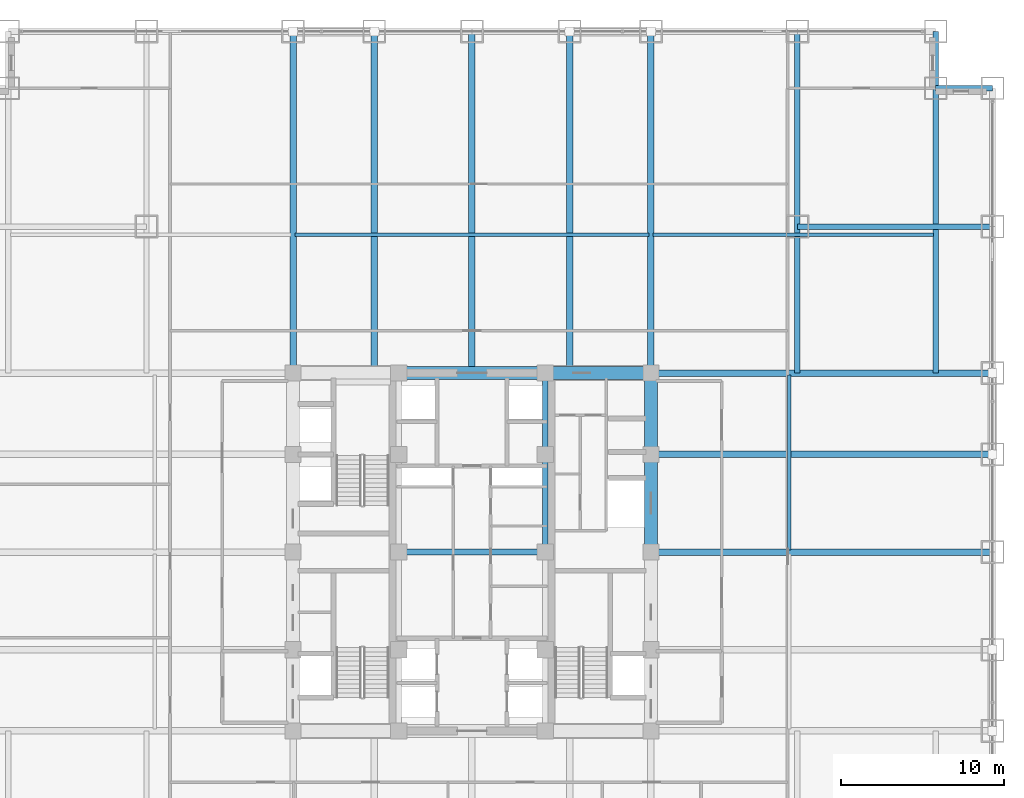
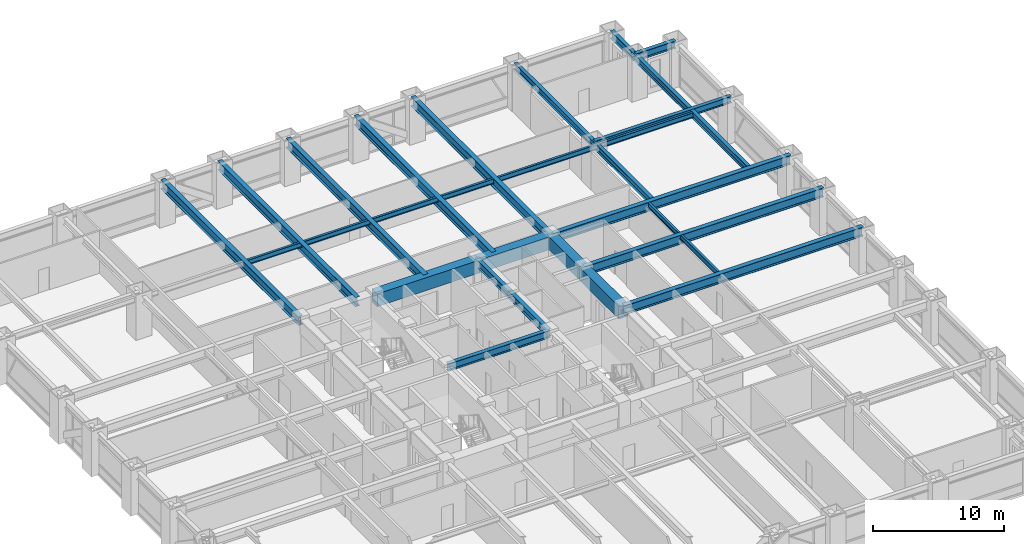
# One storey, part 15 of 27: 23 beams.
"""IFC4 building model written with IfcOpenShell, lengths in metres."""

from ifc_helpers import new_model, si_unit, direction, frame, origin, origin_2d, place, context, subcontext, project, spatial, rectangle, i_section, extrude, source, transform, mapped, material, material_profile, profile_set, type_object, element, save


model = new_model("IFC4")

# Units and contexts
model_context = context("Model", 3, precision=1e-05, world=origin(), true_north=direction((0.0, 1.0)))
body_context = subcontext(model_context, "Body", "Model", "MODEL_VIEW")
ifc_project = project(units=[si_unit("LENGTHUNIT", "METRE"), si_unit("AREAUNIT", "SQUARE_METRE"), si_unit("VOLUMEUNIT", "CUBIC_METRE"), si_unit("PLANEANGLEUNIT", "RADIAN"), si_unit("MASSUNIT", "GRAM", prefix="KILO")], contexts=[model_context])

# Site, building, storey
site_placement = place(None, origin())
site = spatial("IfcSite", under=ifc_project, at=site_placement, CompositionType="ELEMENT")
building_placement = place(site_placement, origin())
building = spatial("IfcBuilding", under=site, at=building_placement, Name="Khorayat Bourse Tower", CompositionType="ELEMENT")
storey_placement = place(building_placement, frame((0.0, 0.0, 49.39990234375)))
storey = spatial("IfcBuildingStorey", under=building, at=storey_placement, Name="L10", CompositionType="ELEMENT", Elevation=49.39990234375)

# Beams
ifc_material_1 = material(Name="Concrete C72/90", Category="concrete")
ifc_material_profile_1 = material_profile(ifc_material_1, rectangle(XDim=0.800048828125, YDim=1.199951171875, at=origin_2d()), Name="RC 800x1200")
ifc_profile_set_1 = profile_set([ifc_material_profile_1], Name="Concrete C72/90")
beam_type_1 = type_object("IfcBeamType", Name="BM-COUP-1200", PredefinedType="BEAM", material=ifc_profile_set_1)
shared_shape_1 = source(origin(), body_context, "Body", "SweptSolid", [
    extrude(rectangle(XDim=0.800048828125, YDim=1.199951171875, at=origin_2d()), origin(), (0.0, 0.0, 1.0), 5.0),
])
beam_1_placement = place(storey_placement, frame((11.0, 6.0, 3.340087890625), z_axis=(0.0, 1.0, 0.0), x_axis=(-1.0, 0.0, 0.0)))
element("IfcBeam", 1, at=beam_1_placement, inside=storey, type_object=beam_type_1, Name="L10 BM-COUP-1200 BM-L10-CRX-16", PredefinedType="BEAM", context=body_context, shape_type="MappedRepresentation", body=[
    mapped(shared_shape_1, transform((0.0, 0.0, 0.0), scale=1.0)),
])
shared_shape_2 = source(origin(), body_context, "Body", "SweptSolid", [
    extrude(rectangle(XDim=0.800048828125, YDim=1.199951171875, at=origin_2d()), origin(), (0.0, 0.0, 1.0), 6.0),
])
beam_2_placement = place(storey_placement, frame((11.0, 0.0, 3.340087890625), z_axis=(0.0, 1.0, 0.0), x_axis=(-1.0, 0.0, 0.0)))
element("IfcBeam", 2, at=beam_2_placement, inside=storey, type_object=beam_type_1, Name="L10 BM-COUP-1200 BM-L10-CRX-15", PredefinedType="BEAM", context=body_context, shape_type="MappedRepresentation", body=[
    mapped(shared_shape_2, transform((0.0, 0.0, 0.0), scale=1.0)),
])
ifc_material_2 = material(Name="Steel ASTM A992 Grade 50", Category="steel")
ifc_material_profile_2 = material_profile(ifc_material_2, i_section(OverallWidth=0.35498046875, OverallDepth=0.695068359375, WebThickness=0.015380859375, FlangeThickness=0.02490234375, FilletRadius=0.01806640625, at=origin_2d()), Name="W690X217")
ifc_profile_set_2 = profile_set([ifc_material_profile_2], Name="Steel ASTM A992 Grade 50")
beam_type_2 = type_object("IfcBeamType", Name="BM-GIRD-690", PredefinedType="BEAM", material=ifc_profile_set_2)
shared_shape_3 = source(origin(), body_context, "Body", "SweptSolid", [
    extrude(i_section(OverallWidth=0.35498046875, OverallDepth=0.695068359375, WebThickness=0.015380859375, FlangeThickness=0.02490234375, FilletRadius=0.01806640625, at=origin_2d()), origin(), (0.0, 0.0, 1.0), 5.0),
])
beam_3_placement = place(storey_placement, frame((4.5, 6.0, 3.592529296875), z_axis=(0.0, 1.0, 0.0), x_axis=(-1.0, 0.0, 0.0)))
element("IfcBeam", 3, at=beam_3_placement, inside=storey, type_object=beam_type_2, Name="L10 BM-GIRD-690 BM-L10-CRX-12", PredefinedType="BEAM", context=body_context, shape_type="MappedRepresentation", body=[
    mapped(shared_shape_3, transform((0.0, 0.0, 0.0), scale=1.0)),
])
shared_shape_4 = source(origin(), body_context, "Body", "SweptSolid", [
    extrude(i_section(OverallWidth=0.35498046875, OverallDepth=0.695068359375, WebThickness=0.015380859375, FlangeThickness=0.02490234375, FilletRadius=0.01806640625, at=origin_2d()), origin(), (0.0, 0.0, 1.0), 6.0),
])
beam_4_placement = place(storey_placement, frame((4.5, 0.0, 3.592529296875), z_axis=(0.0, 1.0, 0.0), x_axis=(-1.0, 0.0, 0.0)))
element("IfcBeam", 4, at=beam_4_placement, inside=storey, type_object=beam_type_2, Name="L10 BM-GIRD-690 BM-L10-CRX-11", PredefinedType="BEAM", context=body_context, shape_type="MappedRepresentation", body=[
    mapped(shared_shape_4, transform((0.0, 0.0, 0.0), scale=1.0)),
])
shared_shape_5 = source(origin(), body_context, "Body", "SweptSolid", [
    extrude(rectangle(XDim=0.800048828125, YDim=1.199951171875, at=origin_2d()), origin(), (0.0, 0.0, 1.0), 6.5),
])
beam_5_placement = place(storey_placement, frame((4.5, 11.0, 3.340087890625), z_axis=(1.0, 0.0, 0.0), x_axis=(0.0, 1.0, 0.0)))
element("IfcBeam", 5, at=beam_5_placement, inside=storey, type_object=beam_type_1, Name="L10 BM-COUP-1200 BM-L10-CRY-22", PredefinedType="BEAM", context=body_context, shape_type="MappedRepresentation", body=[
    mapped(shared_shape_5, transform((0.0, 0.0, 0.0), scale=1.0)),
])
shared_shape_6 = source(origin(), body_context, "Body", "SweptSolid", [
    extrude(rectangle(XDim=0.800048828125, YDim=1.199951171875, at=origin_2d()), origin(), (0.0, 0.0, 1.0), 9.0),
])
beam_6_placement = place(storey_placement, frame((-4.5, 11.0, 3.340087890625), z_axis=(1.0, 0.0, 0.0), x_axis=(0.0, 1.0, 0.0)))
element("IfcBeam", 6, at=beam_6_placement, inside=storey, type_object=beam_type_1, Name="L10 BM-COUP-1200 BM-L10-CRY-21", PredefinedType="BEAM", context=body_context, shape_type="MappedRepresentation", body=[
    mapped(shared_shape_6, transform((0.0, 0.0, 0.0), scale=1.0)),
])
shared_shape_7 = source(origin(), body_context, "Body", "SweptSolid", [
    extrude(i_section(OverallWidth=0.35498046875, OverallDepth=0.695068359375, WebThickness=0.015380859375, FlangeThickness=0.02490234375, FilletRadius=0.01806640625, at=origin_2d()), origin(), (0.0, 0.0, 1.0), 9.0),
])
beam_7_placement = place(storey_placement, frame((-4.5, 0.0, 3.592529296875), z_axis=(1.0, 0.0, 0.0), x_axis=(0.0, 1.0, 0.0)))
element("IfcBeam", 7, at=beam_7_placement, inside=storey, type_object=beam_type_2, Name="L10 BM-GIRD-690 BM-L10-CRY-23", PredefinedType="BEAM", context=body_context, shape_type="MappedRepresentation", body=[
    mapped(shared_shape_7, transform((0.0, 0.0, 0.0), scale=1.0)),
])
ifc_material_profile_3 = material_profile(ifc_material_2, i_section(OverallWidth=0.35498046875, OverallDepth=0.695068359375, WebThickness=0.015380859375, FlangeThickness=0.02490234375, FilletRadius=0.01806640625, at=origin_2d()), Name="W690X217")
ifc_profile_set_3 = profile_set([ifc_material_profile_3], Name="Steel ASTM A992 Grade 50")
beam_type_3 = type_object("IfcBeamType", Name="BM-SPAN-690", PredefinedType="SPANDREL", material=ifc_profile_set_3)
shared_shape_8 = source(origin(), body_context, "Body", "SweptSolid", [
    extrude(i_section(OverallWidth=0.35498046875, OverallDepth=0.695068359375, WebThickness=0.015380859375, FlangeThickness=0.02490234375, FilletRadius=0.01806640625, at=origin_2d()), origin(), (0.0, 0.0, 1.0), 3.5),
])
for number, where, z_axis, x_axis, name in (
    (8, (28.5, 28.5, 3.592529296875), (1.0, 0.0, 0.0), (0.0, 1.0, 0.0), "L10 BM-SPAN-690 BM-L10-SPN-042"),
    (9, (28.5, 28.5, 3.592529296875), (0.0, 1.0, 0.0), (-1.0, 0.0, 0.0), "L10 BM-SPAN-690 BM-L10-SPN-043"),
):
    element("IfcBeam", number, at=place(storey_placement, frame(where, z_axis=z_axis, x_axis=x_axis)), inside=storey, type_object=beam_type_3, Name=name, PredefinedType="SPANDREL", context=body_context, shape_type="MappedRepresentation", body=[
        mapped(shared_shape_8, transform((0.0, 0.0, 0.0), scale=1.0)),
    ])
ifc_material_profile_4 = material_profile(ifc_material_2, i_section(OverallWidth=0.39990234375, OverallDepth=0.85498046875, WebThickness=0.018310546875, FlangeThickness=0.029296875, FilletRadius=0.02001953125, at=origin_2d()), Name="W840X299")
ifc_profile_set_4 = profile_set([ifc_material_profile_4], Name="Steel ASTM A992 Grade 50")
beam_type_4 = type_object("IfcBeamType", Name="BM-GIRD-840", PredefinedType="BEAM", material=ifc_profile_set_4)
shared_shape_9 = source(origin(), body_context, "Body", "SweptSolid", [
    extrude(i_section(OverallWidth=0.39990234375, OverallDepth=0.85498046875, WebThickness=0.018310546875, FlangeThickness=0.029296875, FilletRadius=0.02001953125, at=origin_2d()), origin(), (0.0, 0.0, 1.0), 21.0),
])
for number, where, z_axis, x_axis, name in (
    (10, (-11.0, 11.0, 3.5126953125), (0.0, 1.0, 0.0), (-1.0, 0.0, 0.0), "L10 BM-GIRD-840 BM-L10-RADY-064"),
    (11, (-6.0, 11.0, 3.5126953125), (0.0, 1.0, 0.0), (-1.0, 0.0, 0.0), "L10 BM-GIRD-840 BM-L10-RADY-066"),
    (12, (0.0, 11.0, 3.5126953125), (0.0, 1.0, 0.0), (-1.0, 0.0, 0.0), "L10 BM-GIRD-840 BM-L10-RADY-068"),
    (13, (6.0, 11.0, 3.5126953125), (0.0, 1.0, 0.0), (-1.0, 0.0, 0.0), "L10 BM-GIRD-840 BM-L10-RADY-070"),
    (14, (11.0, 11.0, 3.5126953125), (0.0, 1.0, 0.0), (-1.0, 0.0, 0.0), "L10 BM-GIRD-840 BM-L10-RADY-072"),
    (15, (11.0, 0.0, 3.5126953125), (1.0, 0.0, 0.0), (0.0, 1.0, 0.0), "L10 BM-GIRD-840 BM-L10-RADX-078"),
    (16, (11.0, 6.0, 3.5126953125), (1.0, 0.0, 0.0), (0.0, 1.0, 0.0), "L10 BM-GIRD-840 BM-L10-RADX-080"),
    (17, (11.0, 11.0, 3.5126953125), (1.0, 0.0, 0.0), (0.0, 1.0, 0.0), "L10 BM-GIRD-840 BM-L10-RADX-082"),
):
    element("IfcBeam", number, at=place(storey_placement, frame(where, z_axis=z_axis, x_axis=x_axis)), inside=storey, type_object=beam_type_4, Name=name, PredefinedType="BEAM", context=body_context, shape_type="MappedRepresentation", body=[
        mapped(shared_shape_9, transform((0.0, 0.0, 0.0), scale=1.0)),
    ])
ifc_material_profile_5 = material_profile(ifc_material_2, i_section(OverallWidth=0.324951171875, OverallDepth=0.615966796875, WebThickness=0.013916015625, FlangeThickness=0.021484375, FilletRadius=0.01611328125, at=origin_2d()), Name="W610X174")
ifc_profile_set_5 = profile_set([ifc_material_profile_5], Name="Steel ASTM A992 Grade 50")
beam_type_5 = type_object("IfcBeamType", Name="BM-GIRD-610", PredefinedType="BEAM", material=ifc_profile_set_5)
shared_shape_10 = source(origin(), body_context, "Body", "SweptSolid", [
    extrude(i_section(OverallWidth=0.324951171875, OverallDepth=0.615966796875, WebThickness=0.013916015625, FlangeThickness=0.021484375, FilletRadius=0.01611328125, at=origin_2d()), origin(), (0.0, 0.0, 1.0), 21.0),
])
beam_8_placement = place(storey_placement, frame((20.0, 11.0, 3.632080078125), z_axis=(0.0, 1.0, 0.0), x_axis=(-1.0, 0.0, 0.0)))
element("IfcBeam", 18, at=beam_8_placement, inside=storey, type_object=beam_type_5, Name="L10 BM-GIRD-610 BM-L10-CNRY-087", PredefinedType="BEAM", context=body_context, shape_type="MappedRepresentation", body=[
    mapped(shared_shape_10, transform((0.0, 0.0, 0.0), scale=1.0)),
])
shared_shape_11 = source(origin(), body_context, "Body", "SweptSolid", [
    extrude(i_section(OverallWidth=0.324951171875, OverallDepth=0.615966796875, WebThickness=0.013916015625, FlangeThickness=0.021484375, FilletRadius=0.01611328125, at=origin_2d()), origin(), (0.0, 0.0, 1.0), 17.5),
])
beam_9_placement = place(storey_placement, frame((28.5, 11.0, 3.632080078125), z_axis=(0.0, 1.0, 0.0), x_axis=(-1.0, 0.0, 0.0)))
element("IfcBeam", 19, at=beam_9_placement, inside=storey, type_object=beam_type_5, Name="L10 BM-GIRD-610 BM-L10-CNRY-091", PredefinedType="BEAM", context=body_context, shape_type="MappedRepresentation", body=[
    mapped(shared_shape_11, transform((0.0, 0.0, 0.0), scale=1.0)),
])
shared_shape_12 = source(origin(), body_context, "Body", "SweptSolid", [
    extrude(i_section(OverallWidth=0.324951171875, OverallDepth=0.615966796875, WebThickness=0.013916015625, FlangeThickness=0.021484375, FilletRadius=0.01611328125, at=origin_2d()), origin(), (0.0, 0.0, 1.0), 12.0),
])
beam_10_placement = place(storey_placement, frame((20.0, 20.0, 3.632080078125), z_axis=(1.0, 0.0, 0.0), x_axis=(0.0, 1.0, 0.0)))
element("IfcBeam", 20, at=beam_10_placement, inside=storey, type_object=beam_type_5, Name="L10 BM-GIRD-610 BM-L10-CNRX-094", PredefinedType="BEAM", context=body_context, shape_type="MappedRepresentation", body=[
    mapped(shared_shape_12, transform((0.0, 0.0, 0.0), scale=1.0)),
])
ifc_material_profile_6 = material_profile(ifc_material_2, i_section(OverallWidth=0.194091796875, OverallDepth=0.468994140625, WebThickness=0.0126953125, FlangeThickness=0.0205078125, FilletRadius=0.012939453125, at=origin_2d()), Name="W460X106")
ifc_profile_set_6 = profile_set([ifc_material_profile_6], Name="Steel ASTM A992 Grade 50")
beam_type_6 = type_object("IfcBeamType", Name="BM-JOIST-460", PredefinedType="JOIST", material=ifc_profile_set_6)
shared_shape_13 = source(origin(), body_context, "Body", "SweptSolid", [
    extrude(i_section(OverallWidth=0.194091796875, OverallDepth=0.468994140625, WebThickness=0.0126953125, FlangeThickness=0.0205078125, FilletRadius=0.012939453125, at=origin_2d()), origin(), (0.0, 0.0, 1.0), 17.240234375),
])
beam_11_placement = place(storey_placement, frame((11.1298828125, 19.5, 3.70556640625), z_axis=(1.0, 0.0, 0.0), x_axis=(0.0, 1.0, 0.0)))
element("IfcBeam", 21, at=beam_11_placement, inside=storey, type_object=beam_type_6, Name="L10 BM-JOIST-460 BM-L10-JSTX-101", PredefinedType="JOIST", context=body_context, shape_type="MappedRepresentation", body=[
    mapped(shared_shape_13, transform((0.0, 0.0, 0.0), scale=1.0)),
])
shared_shape_14 = source(origin(), body_context, "Body", "SweptSolid", [
    extrude(i_section(OverallWidth=0.194091796875, OverallDepth=0.468994140625, WebThickness=0.0126953125, FlangeThickness=0.0205078125, FilletRadius=0.012939453125, at=origin_2d()), origin(), (0.0, 0.0, 1.0), 21.740234375),
])
beam_12_placement = place(storey_placement, frame((-10.8701171875, 19.5, 3.70556640625), z_axis=(1.0, 0.0, 0.0), x_axis=(0.0, 1.0, 0.0)))
element("IfcBeam", 22, at=beam_12_placement, inside=storey, type_object=beam_type_6, Name="L10 BM-JOIST-460 BM-L10-JSTX-100", PredefinedType="JOIST", context=body_context, shape_type="MappedRepresentation", body=[
    mapped(shared_shape_14, transform((0.0, 0.0, 0.0), scale=1.0)),
])
shared_shape_15 = source(origin(), body_context, "Body", "SweptSolid", [
    extrude(i_section(OverallWidth=0.194091796875, OverallDepth=0.468994140625, WebThickness=0.0126953125, FlangeThickness=0.0205078125, FilletRadius=0.012939453125, at=origin_2d()), origin(), (0.0, 0.0, 1.0), 10.740234375),
])
beam_13_placement = place(storey_placement, frame((19.5, 0.1298828125, 3.70556640625), z_axis=(0.0, 1.0, 0.0), x_axis=(-1.0, 0.0, 0.0)))
element("IfcBeam", 23, at=beam_13_placement, inside=storey, type_object=beam_type_6, Name="L10 BM-JOIST-460 BM-L10-JSTY-105", PredefinedType="JOIST", context=body_context, shape_type="MappedRepresentation", body=[
    mapped(shared_shape_15, transform((0.0, 0.0, 0.0), scale=1.0)),
])

save(model, "model.ifc")
